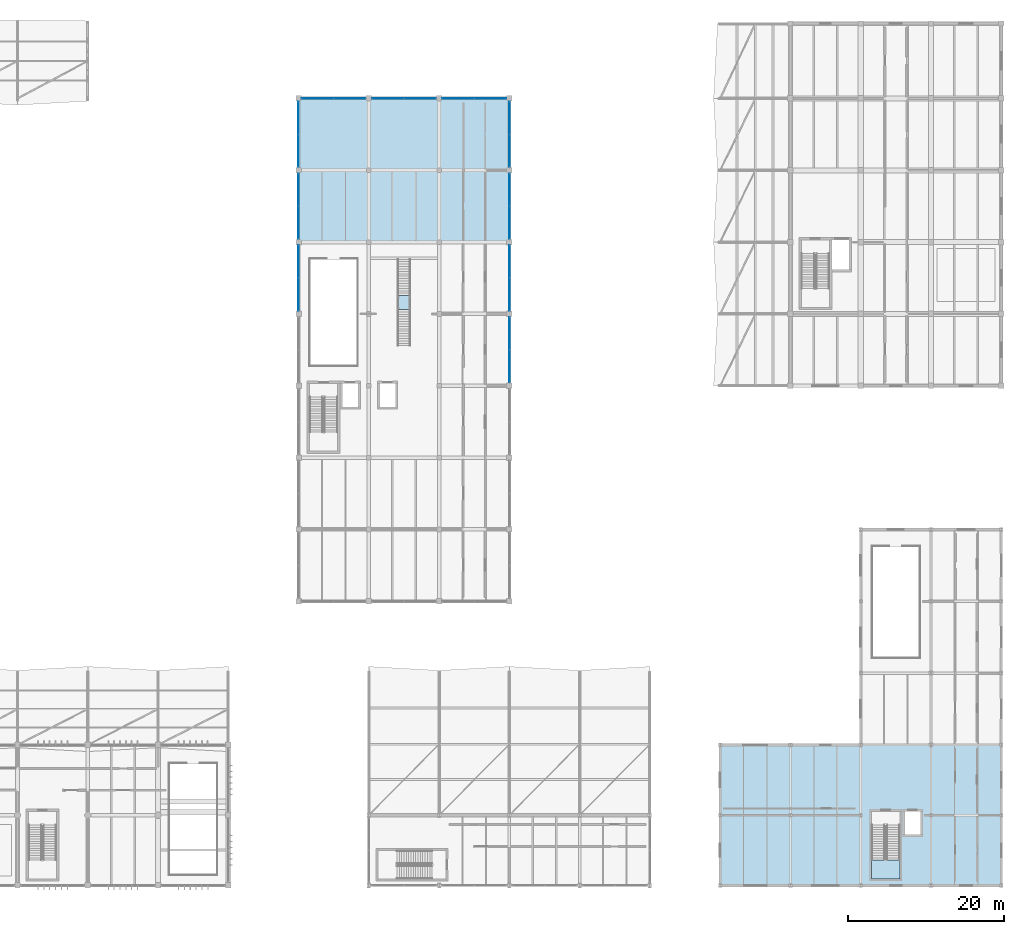
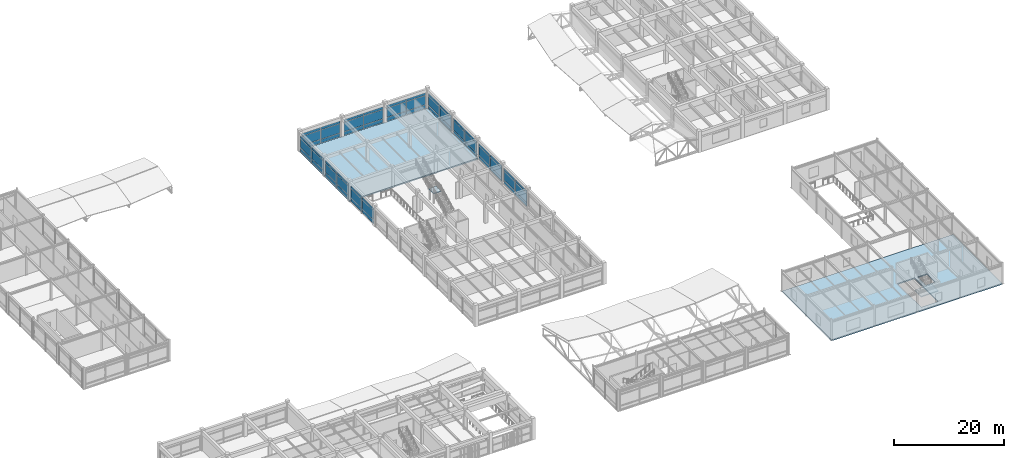
# One storey, part 57 of 90: 60 plates, 4 slabs, 12 elements without a shape of their own.
"""IFC4 building model written with IfcOpenShell, lengths in metres."""

from ifc_helpers import new_model, si_unit, direction, frame, origin, origin_2d, place, context, subcontext, project, spatial, polyline, rectangle, outline, extrude, material, layer, layer_set, type_object, element, aggregate, save


model = new_model("IFC4")

# Units and contexts
model_context = context("Model", 3, precision=1e-05, world=origin(), true_north=direction((0.0, 1.0)))
body_context = subcontext(model_context, "Body", "Model", "MODEL_VIEW")
ifc_project = project(units=[si_unit("LENGTHUNIT", "METRE"), si_unit("AREAUNIT", "SQUARE_METRE"), si_unit("VOLUMEUNIT", "CUBIC_METRE"), si_unit("PLANEANGLEUNIT", "RADIAN"), si_unit("MASSUNIT", "GRAM", prefix="KILO")], contexts=[model_context])

# Site, building, storey
site_placement = place(None, origin())
site = spatial("IfcSite", under=ifc_project, at=site_placement, CompositionType="ELEMENT")
building_placement = place(site_placement, origin())
building = spatial("IfcBuilding", under=site, at=building_placement, Name="Bozkorgan Art Gallery", CompositionType="ELEMENT")
storey_placement = place(building_placement, frame((0.0, 0.0, 5.39990234375)))
storey = spatial("IfcBuildingStorey", under=building, at=storey_placement, Name="L01", CompositionType="ELEMENT", Elevation=5.39990234375)

# Curtain wall, plates
ifc_material_1 = material(Name="Anodised Bronze Aluminium", Category="aluminium")
curtain_wall_type_1 = type_object("IfcCurtainWallType", Name="CW-CW-19", PredefinedType="NOTDEFINED", material=ifc_material_1)
curtain_wall_1_placement = place(storey_placement, origin())
curtain_wall_1 = element("IfcCurtainWall", 1, at=curtain_wall_1_placement, inside=storey, type_object=curtain_wall_type_1, Name="L01 unitised curtain wall CW-V4-L01-1N-02", PredefinedType="NOTDEFINED")
ifc_material_2 = material(Name="Triple Low-E Laminated Glass", Category="glass")
ifc_layer_1 = layer(ifc_material_2, 0.0439453125, Name="Triple Low-E Laminated Glass")
ifc_layer_set_1 = layer_set([ifc_layer_1], Name="Triple Low-E Laminated Glass")
plate_type = type_object("IfcPlateType", Name="CWP-GLZ", PredefinedType="CURTAIN_PANEL", material=ifc_layer_set_1)
plate_1_placement = place(storey_placement, frame((76.44873046875, 102.800048828125, 0.094970703125), z_axis=(0.0, 0.0, 1.0), x_axis=(1.0, 0.0, 0.0)))
plate_1 = element("IfcPlate", 2, at=plate_1_placement, type_object=plate_type, Name="CW-19 panel 1.1", PredefinedType="CURTAIN_PANEL", context=body_context, shape_type="SweptSolid", body=[
    extrude(rectangle(XDim=4.03759765625, YDim=0.0439453125, at=origin_2d()), origin(), (0.0, 0.0, 1.0), 0.78759765625),
])
plate_2_placement = place(storey_placement, frame((76.44873046875, 102.800048828125, 0.95751953125), z_axis=(0.0, 0.0, 1.0), x_axis=(1.0, 0.0, 0.0)))
plate_2 = element("IfcPlate", 3, at=plate_2_placement, type_object=plate_type, Name="CW-19 panel 1.2", PredefinedType="CURTAIN_PANEL", context=body_context, shape_type="SweptSolid", body=[
    extrude(rectangle(XDim=4.03759765625, YDim=0.0439453125, at=origin_2d()), origin(), (0.0, 0.0, 1.0), 2.030029296875),
])
plate_3_placement = place(storey_placement, frame((76.44873046875, 102.800048828125, 3.0625), z_axis=(0.0, 0.0, 1.0), x_axis=(1.0, 0.0, 0.0)))
plate_3 = element("IfcPlate", 4, at=plate_3_placement, type_object=plate_type, Name="CW-19 panel 1.3", PredefinedType="CURTAIN_PANEL", context=body_context, shape_type="SweptSolid", body=[
    extrude(rectangle(XDim=4.03759765625, YDim=0.0439453125, at=origin_2d()), origin(), (0.0, 0.0, 1.0), 0.53759765625),
])
plate_4_placement = place(storey_placement, frame((80.55126953125, 102.800048828125, 0.094970703125), z_axis=(0.0, 0.0, 1.0), x_axis=(1.0, 0.0, 0.0)))
plate_4 = element("IfcPlate", 5, at=plate_4_placement, type_object=plate_type, Name="CW-19 panel 2.1", PredefinedType="CURTAIN_PANEL", context=body_context, shape_type="SweptSolid", body=[
    extrude(rectangle(XDim=4.03759765625, YDim=0.0439453125, at=origin_2d()), origin(), (0.0, 0.0, 1.0), 0.78759765625),
])
plate_5_placement = place(storey_placement, frame((80.55126953125, 102.800048828125, 0.95751953125), z_axis=(0.0, 0.0, 1.0), x_axis=(1.0, 0.0, 0.0)))
plate_5 = element("IfcPlate", 6, at=plate_5_placement, type_object=plate_type, Name="CW-19 panel 2.2", PredefinedType="CURTAIN_PANEL", context=body_context, shape_type="SweptSolid", body=[
    extrude(rectangle(XDim=4.03759765625, YDim=0.0439453125, at=origin_2d()), origin(), (0.0, 0.0, 1.0), 2.030029296875),
])
plate_6_placement = place(storey_placement, frame((80.55126953125, 102.800048828125, 3.0625), z_axis=(0.0, 0.0, 1.0), x_axis=(1.0, 0.0, 0.0)))
plate_6 = element("IfcPlate", 7, at=plate_6_placement, type_object=plate_type, Name="CW-19 panel 2.3", PredefinedType="CURTAIN_PANEL", context=body_context, shape_type="SweptSolid", body=[
    extrude(rectangle(XDim=4.03759765625, YDim=0.0439453125, at=origin_2d()), origin(), (0.0, 0.0, 1.0), 0.53759765625),
])
aggregate(curtain_wall_1, [plate_1, plate_2, plate_3, plate_4, plate_5, plate_6])

curtain_wall_2_placement = place(storey_placement, origin())
curtain_wall_2 = element("IfcCurtainWall", 8, at=curtain_wall_2_placement, inside=storey, type_object=curtain_wall_type_1, Name="L01 unitised curtain wall CW-V4-L01-1N-04", PredefinedType="NOTDEFINED")
plate_7_placement = place(storey_placement, frame((85.44873046875, 102.800048828125, 0.094970703125), z_axis=(0.0, 0.0, 1.0), x_axis=(1.0, 0.0, 0.0)))
plate_7 = element("IfcPlate", 9, at=plate_7_placement, type_object=plate_type, Name="CW-19 panel 1.1", PredefinedType="CURTAIN_PANEL", context=body_context, shape_type="SweptSolid", body=[
    extrude(rectangle(XDim=4.03759765625, YDim=0.0439453125, at=origin_2d()), origin(), (0.0, 0.0, 1.0), 0.78759765625),
])
plate_8_placement = place(storey_placement, frame((85.44873046875, 102.800048828125, 0.95751953125), z_axis=(0.0, 0.0, 1.0), x_axis=(1.0, 0.0, 0.0)))
plate_8 = element("IfcPlate", 10, at=plate_8_placement, type_object=plate_type, Name="CW-19 panel 1.2", PredefinedType="CURTAIN_PANEL", context=body_context, shape_type="SweptSolid", body=[
    extrude(rectangle(XDim=4.03759765625, YDim=0.0439453125, at=origin_2d()), origin(), (0.0, 0.0, 1.0), 2.030029296875),
])
plate_9_placement = place(storey_placement, frame((85.44873046875, 102.800048828125, 3.0625), z_axis=(0.0, 0.0, 1.0), x_axis=(1.0, 0.0, 0.0)))
plate_9 = element("IfcPlate", 11, at=plate_9_placement, type_object=plate_type, Name="CW-19 panel 1.3", PredefinedType="CURTAIN_PANEL", context=body_context, shape_type="SweptSolid", body=[
    extrude(rectangle(XDim=4.03759765625, YDim=0.0439453125, at=origin_2d()), origin(), (0.0, 0.0, 1.0), 0.53759765625),
])
plate_10_placement = place(storey_placement, frame((89.55126953125, 102.800048828125, 0.094970703125), z_axis=(0.0, 0.0, 1.0), x_axis=(1.0, 0.0, 0.0)))
plate_10 = element("IfcPlate", 12, at=plate_10_placement, type_object=plate_type, Name="CW-19 panel 2.1", PredefinedType="CURTAIN_PANEL", context=body_context, shape_type="SweptSolid", body=[
    extrude(rectangle(XDim=4.03759765625, YDim=0.0439453125, at=origin_2d()), origin(), (0.0, 0.0, 1.0), 0.78759765625),
])
plate_11_placement = place(storey_placement, frame((89.55126953125, 102.800048828125, 0.95751953125), z_axis=(0.0, 0.0, 1.0), x_axis=(1.0, 0.0, 0.0)))
plate_11 = element("IfcPlate", 13, at=plate_11_placement, type_object=plate_type, Name="CW-19 panel 2.2", PredefinedType="CURTAIN_PANEL", context=body_context, shape_type="SweptSolid", body=[
    extrude(rectangle(XDim=4.03759765625, YDim=0.0439453125, at=origin_2d()), origin(), (0.0, 0.0, 1.0), 2.030029296875),
])
plate_12_placement = place(storey_placement, frame((89.55126953125, 102.800048828125, 3.0625), z_axis=(0.0, 0.0, 1.0), x_axis=(1.0, 0.0, 0.0)))
plate_12 = element("IfcPlate", 14, at=plate_12_placement, type_object=plate_type, Name="CW-19 panel 2.3", PredefinedType="CURTAIN_PANEL", context=body_context, shape_type="SweptSolid", body=[
    extrude(rectangle(XDim=4.03759765625, YDim=0.0439453125, at=origin_2d()), origin(), (0.0, 0.0, 1.0), 0.53759765625),
])
aggregate(curtain_wall_2, [plate_7, plate_8, plate_9, plate_10, plate_11, plate_12])

curtain_wall_3_placement = place(storey_placement, origin())
curtain_wall_3 = element("IfcCurtainWall", 15, at=curtain_wall_3_placement, inside=storey, type_object=curtain_wall_type_1, Name="L01 unitised curtain wall CW-V4-L01-1N-06", PredefinedType="NOTDEFINED")
plate_13_placement = place(storey_placement, frame((94.44873046875, 102.800048828125, 0.094970703125), z_axis=(0.0, 0.0, 1.0), x_axis=(1.0, 0.0, 0.0)))
plate_13 = element("IfcPlate", 16, at=plate_13_placement, type_object=plate_type, Name="CW-19 panel 1.1", PredefinedType="CURTAIN_PANEL", context=body_context, shape_type="SweptSolid", body=[
    extrude(rectangle(XDim=4.03759765625, YDim=0.0439453125, at=origin_2d()), origin(), (0.0, 0.0, 1.0), 0.78759765625),
])
plate_14_placement = place(storey_placement, frame((94.44873046875, 102.800048828125, 0.95751953125), z_axis=(0.0, 0.0, 1.0), x_axis=(1.0, 0.0, 0.0)))
plate_14 = element("IfcPlate", 17, at=plate_14_placement, type_object=plate_type, Name="CW-19 panel 1.2", PredefinedType="CURTAIN_PANEL", context=body_context, shape_type="SweptSolid", body=[
    extrude(rectangle(XDim=4.03759765625, YDim=0.0439453125, at=origin_2d()), origin(), (0.0, 0.0, 1.0), 2.030029296875),
])
plate_15_placement = place(storey_placement, frame((94.44873046875, 102.800048828125, 3.0625), z_axis=(0.0, 0.0, 1.0), x_axis=(1.0, 0.0, 0.0)))
plate_15 = element("IfcPlate", 18, at=plate_15_placement, type_object=plate_type, Name="CW-19 panel 1.3", PredefinedType="CURTAIN_PANEL", context=body_context, shape_type="SweptSolid", body=[
    extrude(rectangle(XDim=4.03759765625, YDim=0.0439453125, at=origin_2d()), origin(), (0.0, 0.0, 1.0), 0.53759765625),
])
plate_16_placement = place(storey_placement, frame((98.55126953125, 102.800048828125, 0.094970703125), z_axis=(0.0, 0.0, 1.0), x_axis=(1.0, 0.0, 0.0)))
plate_16 = element("IfcPlate", 19, at=plate_16_placement, type_object=plate_type, Name="CW-19 panel 2.1", PredefinedType="CURTAIN_PANEL", context=body_context, shape_type="SweptSolid", body=[
    extrude(rectangle(XDim=4.03759765625, YDim=0.0439453125, at=origin_2d()), origin(), (0.0, 0.0, 1.0), 0.78759765625),
])
plate_17_placement = place(storey_placement, frame((98.55126953125, 102.800048828125, 0.95751953125), z_axis=(0.0, 0.0, 1.0), x_axis=(1.0, 0.0, 0.0)))
plate_17 = element("IfcPlate", 20, at=plate_17_placement, type_object=plate_type, Name="CW-19 panel 2.2", PredefinedType="CURTAIN_PANEL", context=body_context, shape_type="SweptSolid", body=[
    extrude(rectangle(XDim=4.03759765625, YDim=0.0439453125, at=origin_2d()), origin(), (0.0, 0.0, 1.0), 2.030029296875),
])
plate_18_placement = place(storey_placement, frame((98.55126953125, 102.800048828125, 3.0625), z_axis=(0.0, 0.0, 1.0), x_axis=(1.0, 0.0, 0.0)))
plate_18 = element("IfcPlate", 21, at=plate_18_placement, type_object=plate_type, Name="CW-19 panel 2.3", PredefinedType="CURTAIN_PANEL", context=body_context, shape_type="SweptSolid", body=[
    extrude(rectangle(XDim=4.03759765625, YDim=0.0439453125, at=origin_2d()), origin(), (0.0, 0.0, 1.0), 0.53759765625),
])
aggregate(curtain_wall_3, [plate_13, plate_14, plate_15, plate_16, plate_17, plate_18])

curtain_wall_type_2 = type_object("IfcCurtainWallType", Name="CW-CW-16", PredefinedType="NOTDEFINED", material=ifc_material_1)
curtain_wall_4_placement = place(storey_placement, origin())
curtain_wall_4 = element("IfcCurtainWall", 22, at=curtain_wall_4_placement, inside=storey, type_object=curtain_wall_type_2, Name="L01 unitised curtain wall CW-V4-L01-1E-14", PredefinedType="NOTDEFINED")
plate_19_placement = place(storey_placement, frame((101.0, 68.498779296875, 0.10009765625), z_axis=(0.0, 0.0, 1.0), x_axis=(0.0, 1.0, 0.0)))
plate_19 = element("IfcPlate", 23, at=plate_19_placement, type_object=plate_type, Name="CW-16 panel 1.1", PredefinedType="CURTAIN_PANEL", context=body_context, shape_type="SweptSolid", body=[
    extrude(rectangle(XDim=4.137451171875, YDim=0.0439453125, at=origin_2d()), origin(), (0.0, 0.0, 1.0), 0.780029296875),
])
plate_20_placement = place(storey_placement, frame((101.0, 68.498779296875, 0.960205078125), z_axis=(0.0, 0.0, 1.0), x_axis=(0.0, 1.0, 0.0)))
plate_20 = element("IfcPlate", 24, at=plate_20_placement, type_object=plate_type, Name="CW-16 panel 1.2", PredefinedType="CURTAIN_PANEL", context=body_context, shape_type="SweptSolid", body=[
    extrude(rectangle(XDim=4.137451171875, YDim=0.0439453125, at=origin_2d()), origin(), (0.0, 0.0, 1.0), 2.02490234375),
])
plate_21_placement = place(storey_placement, frame((101.0, 68.498779296875, 3.06494140625), z_axis=(0.0, 0.0, 1.0), x_axis=(0.0, 1.0, 0.0)))
plate_21 = element("IfcPlate", 25, at=plate_21_placement, type_object=plate_type, Name="CW-16 panel 1.3", PredefinedType="CURTAIN_PANEL", context=body_context, shape_type="SweptSolid", body=[
    extrude(rectangle(XDim=4.137451171875, YDim=0.0439453125, at=origin_2d()), origin(), (0.0, 0.0, 1.0), 0.530029296875),
])
plate_22_placement = place(storey_placement, frame((101.0, 72.701171875, 0.10009765625), z_axis=(0.0, 0.0, 1.0), x_axis=(0.0, 1.0, 0.0)))
plate_22 = element("IfcPlate", 26, at=plate_22_placement, type_object=plate_type, Name="CW-16 panel 2.1", PredefinedType="CURTAIN_PANEL", context=body_context, shape_type="SweptSolid", body=[
    extrude(rectangle(XDim=4.137451171875, YDim=0.0439453125, at=origin_2d()), origin(), (0.0, 0.0, 1.0), 0.780029296875),
])
plate_23_placement = place(storey_placement, frame((101.0, 72.701171875, 0.960205078125), z_axis=(0.0, 0.0, 1.0), x_axis=(0.0, 1.0, 0.0)))
plate_23 = element("IfcPlate", 27, at=plate_23_placement, type_object=plate_type, Name="CW-16 panel 2.2", PredefinedType="CURTAIN_PANEL", context=body_context, shape_type="SweptSolid", body=[
    extrude(rectangle(XDim=4.137451171875, YDim=0.0439453125, at=origin_2d()), origin(), (0.0, 0.0, 1.0), 2.02490234375),
])
plate_24_placement = place(storey_placement, frame((101.0, 72.701171875, 3.06494140625), z_axis=(0.0, 0.0, 1.0), x_axis=(0.0, 1.0, 0.0)))
plate_24 = element("IfcPlate", 28, at=plate_24_placement, type_object=plate_type, Name="CW-16 panel 2.3", PredefinedType="CURTAIN_PANEL", context=body_context, shape_type="SweptSolid", body=[
    extrude(rectangle(XDim=4.137451171875, YDim=0.0439453125, at=origin_2d()), origin(), (0.0, 0.0, 1.0), 0.530029296875),
])
aggregate(curtain_wall_4, [plate_19, plate_20, plate_21, plate_22, plate_23, plate_24])

curtain_wall_5_placement = place(storey_placement, origin())
curtain_wall_5 = element("IfcCurtainWall", 29, at=curtain_wall_5_placement, inside=storey, type_object=curtain_wall_type_2, Name="L01 unitised curtain wall CW-V4-L01-1W-15", PredefinedType="NOTDEFINED")
plate_25_placement = place(storey_placement, frame((74.0, 77.69873046875, 0.10009765625), z_axis=(0.0, 0.0, 1.0), x_axis=(0.0, 1.0, 0.0)))
plate_25 = element("IfcPlate", 30, at=plate_25_placement, type_object=plate_type, Name="CW-16 panel 1.1", PredefinedType="CURTAIN_PANEL", context=body_context, shape_type="SweptSolid", body=[
    extrude(rectangle(XDim=4.137451171875, YDim=0.0439453125, at=origin_2d()), origin(), (0.0, 0.0, 1.0), 0.780029296875),
])
plate_26_placement = place(storey_placement, frame((74.0, 77.69873046875, 0.960205078125), z_axis=(0.0, 0.0, 1.0), x_axis=(0.0, 1.0, 0.0)))
plate_26 = element("IfcPlate", 31, at=plate_26_placement, type_object=plate_type, Name="CW-16 panel 1.2", PredefinedType="CURTAIN_PANEL", context=body_context, shape_type="SweptSolid", body=[
    extrude(rectangle(XDim=4.137451171875, YDim=0.0439453125, at=origin_2d()), origin(), (0.0, 0.0, 1.0), 2.02490234375),
])
plate_27_placement = place(storey_placement, frame((74.0, 77.69873046875, 3.06494140625), z_axis=(0.0, 0.0, 1.0), x_axis=(0.0, 1.0, 0.0)))
plate_27 = element("IfcPlate", 32, at=plate_27_placement, type_object=plate_type, Name="CW-16 panel 1.3", PredefinedType="CURTAIN_PANEL", context=body_context, shape_type="SweptSolid", body=[
    extrude(rectangle(XDim=4.137451171875, YDim=0.0439453125, at=origin_2d()), origin(), (0.0, 0.0, 1.0), 0.530029296875),
])
plate_28_placement = place(storey_placement, frame((74.0, 81.9013671875, 0.10009765625), z_axis=(0.0, 0.0, 1.0), x_axis=(0.0, 1.0, 0.0)))
plate_28 = element("IfcPlate", 33, at=plate_28_placement, type_object=plate_type, Name="CW-16 panel 2.1", PredefinedType="CURTAIN_PANEL", context=body_context, shape_type="SweptSolid", body=[
    extrude(rectangle(XDim=4.137451171875, YDim=0.0439453125, at=origin_2d()), origin(), (0.0, 0.0, 1.0), 0.780029296875),
])
plate_29_placement = place(storey_placement, frame((74.0, 81.9013671875, 0.960205078125), z_axis=(0.0, 0.0, 1.0), x_axis=(0.0, 1.0, 0.0)))
plate_29 = element("IfcPlate", 34, at=plate_29_placement, type_object=plate_type, Name="CW-16 panel 2.2", PredefinedType="CURTAIN_PANEL", context=body_context, shape_type="SweptSolid", body=[
    extrude(rectangle(XDim=4.137451171875, YDim=0.0439453125, at=origin_2d()), origin(), (0.0, 0.0, 1.0), 2.02490234375),
])
plate_30_placement = place(storey_placement, frame((74.0, 81.9013671875, 3.06494140625), z_axis=(0.0, 0.0, 1.0), x_axis=(0.0, 1.0, 0.0)))
plate_30 = element("IfcPlate", 35, at=plate_30_placement, type_object=plate_type, Name="CW-16 panel 2.3", PredefinedType="CURTAIN_PANEL", context=body_context, shape_type="SweptSolid", body=[
    extrude(rectangle(XDim=4.137451171875, YDim=0.0439453125, at=origin_2d()), origin(), (0.0, 0.0, 1.0), 0.530029296875),
])
aggregate(curtain_wall_5, [plate_25, plate_26, plate_27, plate_28, plate_29, plate_30])

curtain_wall_6_placement = place(storey_placement, origin())
curtain_wall_6 = element("IfcCurtainWall", 36, at=curtain_wall_6_placement, inside=storey, type_object=curtain_wall_type_2, Name="L01 unitised curtain wall CW-V4-L01-1E-16", PredefinedType="NOTDEFINED")
plate_31_placement = place(storey_placement, frame((101.0, 77.69873046875, 0.10009765625), z_axis=(0.0, 0.0, 1.0), x_axis=(0.0, 1.0, 0.0)))
plate_31 = element("IfcPlate", 37, at=plate_31_placement, type_object=plate_type, Name="CW-16 panel 1.1", PredefinedType="CURTAIN_PANEL", context=body_context, shape_type="SweptSolid", body=[
    extrude(rectangle(XDim=4.137451171875, YDim=0.0439453125, at=origin_2d()), origin(), (0.0, 0.0, 1.0), 0.780029296875),
])
plate_32_placement = place(storey_placement, frame((101.0, 77.69873046875, 0.960205078125), z_axis=(0.0, 0.0, 1.0), x_axis=(0.0, 1.0, 0.0)))
plate_32 = element("IfcPlate", 38, at=plate_32_placement, type_object=plate_type, Name="CW-16 panel 1.2", PredefinedType="CURTAIN_PANEL", context=body_context, shape_type="SweptSolid", body=[
    extrude(rectangle(XDim=4.137451171875, YDim=0.0439453125, at=origin_2d()), origin(), (0.0, 0.0, 1.0), 2.02490234375),
])
plate_33_placement = place(storey_placement, frame((101.0, 77.69873046875, 3.06494140625), z_axis=(0.0, 0.0, 1.0), x_axis=(0.0, 1.0, 0.0)))
plate_33 = element("IfcPlate", 39, at=plate_33_placement, type_object=plate_type, Name="CW-16 panel 1.3", PredefinedType="CURTAIN_PANEL", context=body_context, shape_type="SweptSolid", body=[
    extrude(rectangle(XDim=4.137451171875, YDim=0.0439453125, at=origin_2d()), origin(), (0.0, 0.0, 1.0), 0.530029296875),
])
plate_34_placement = place(storey_placement, frame((101.0, 81.9013671875, 0.10009765625), z_axis=(0.0, 0.0, 1.0), x_axis=(0.0, 1.0, 0.0)))
plate_34 = element("IfcPlate", 40, at=plate_34_placement, type_object=plate_type, Name="CW-16 panel 2.1", PredefinedType="CURTAIN_PANEL", context=body_context, shape_type="SweptSolid", body=[
    extrude(rectangle(XDim=4.137451171875, YDim=0.0439453125, at=origin_2d()), origin(), (0.0, 0.0, 1.0), 0.780029296875),
])
plate_35_placement = place(storey_placement, frame((101.0, 81.9013671875, 0.960205078125), z_axis=(0.0, 0.0, 1.0), x_axis=(0.0, 1.0, 0.0)))
plate_35 = element("IfcPlate", 41, at=plate_35_placement, type_object=plate_type, Name="CW-16 panel 2.2", PredefinedType="CURTAIN_PANEL", context=body_context, shape_type="SweptSolid", body=[
    extrude(rectangle(XDim=4.137451171875, YDim=0.0439453125, at=origin_2d()), origin(), (0.0, 0.0, 1.0), 2.02490234375),
])
plate_36_placement = place(storey_placement, frame((101.0, 81.9013671875, 3.06494140625), z_axis=(0.0, 0.0, 1.0), x_axis=(0.0, 1.0, 0.0)))
plate_36 = element("IfcPlate", 42, at=plate_36_placement, type_object=plate_type, Name="CW-16 panel 2.3", PredefinedType="CURTAIN_PANEL", context=body_context, shape_type="SweptSolid", body=[
    extrude(rectangle(XDim=4.137451171875, YDim=0.0439453125, at=origin_2d()), origin(), (0.0, 0.0, 1.0), 0.530029296875),
])
aggregate(curtain_wall_6, [plate_31, plate_32, plate_33, plate_34, plate_35, plate_36])

curtain_wall_7_placement = place(storey_placement, origin())
curtain_wall_7 = element("IfcCurtainWall", 43, at=curtain_wall_7_placement, inside=storey, type_object=curtain_wall_type_2, Name="L01 unitised curtain wall CW-V4-L01-1W-17", PredefinedType="NOTDEFINED")
plate_37_placement = place(storey_placement, frame((74.0, 86.898681640625, 0.10009765625), z_axis=(0.0, 0.0, 1.0), x_axis=(0.0, 1.0, 0.0)))
plate_37 = element("IfcPlate", 44, at=plate_37_placement, type_object=plate_type, Name="CW-16 panel 1.1", PredefinedType="CURTAIN_PANEL", context=body_context, shape_type="SweptSolid", body=[
    extrude(rectangle(XDim=4.137451171875, YDim=0.0439453125, at=origin_2d()), origin(), (0.0, 0.0, 1.0), 0.780029296875),
])
plate_38_placement = place(storey_placement, frame((74.0, 86.898681640625, 0.960205078125), z_axis=(0.0, 0.0, 1.0), x_axis=(0.0, 1.0, 0.0)))
plate_38 = element("IfcPlate", 45, at=plate_38_placement, type_object=plate_type, Name="CW-16 panel 1.2", PredefinedType="CURTAIN_PANEL", context=body_context, shape_type="SweptSolid", body=[
    extrude(rectangle(XDim=4.137451171875, YDim=0.0439453125, at=origin_2d()), origin(), (0.0, 0.0, 1.0), 2.02490234375),
])
plate_39_placement = place(storey_placement, frame((74.0, 86.898681640625, 3.06494140625), z_axis=(0.0, 0.0, 1.0), x_axis=(0.0, 1.0, 0.0)))
plate_39 = element("IfcPlate", 46, at=plate_39_placement, type_object=plate_type, Name="CW-16 panel 1.3", PredefinedType="CURTAIN_PANEL", context=body_context, shape_type="SweptSolid", body=[
    extrude(rectangle(XDim=4.137451171875, YDim=0.0439453125, at=origin_2d()), origin(), (0.0, 0.0, 1.0), 0.530029296875),
])
plate_40_placement = place(storey_placement, frame((74.0, 91.101318359375, 0.10009765625), z_axis=(0.0, 0.0, 1.0), x_axis=(0.0, 1.0, 0.0)))
plate_40 = element("IfcPlate", 47, at=plate_40_placement, type_object=plate_type, Name="CW-16 panel 2.1", PredefinedType="CURTAIN_PANEL", context=body_context, shape_type="SweptSolid", body=[
    extrude(rectangle(XDim=4.137451171875, YDim=0.0439453125, at=origin_2d()), origin(), (0.0, 0.0, 1.0), 0.780029296875),
])
plate_41_placement = place(storey_placement, frame((74.0, 91.101318359375, 0.960205078125), z_axis=(0.0, 0.0, 1.0), x_axis=(0.0, 1.0, 0.0)))
plate_41 = element("IfcPlate", 48, at=plate_41_placement, type_object=plate_type, Name="CW-16 panel 2.2", PredefinedType="CURTAIN_PANEL", context=body_context, shape_type="SweptSolid", body=[
    extrude(rectangle(XDim=4.137451171875, YDim=0.0439453125, at=origin_2d()), origin(), (0.0, 0.0, 1.0), 2.02490234375),
])
plate_42_placement = place(storey_placement, frame((74.0, 91.101318359375, 3.06494140625), z_axis=(0.0, 0.0, 1.0), x_axis=(0.0, 1.0, 0.0)))
plate_42 = element("IfcPlate", 49, at=plate_42_placement, type_object=plate_type, Name="CW-16 panel 2.3", PredefinedType="CURTAIN_PANEL", context=body_context, shape_type="SweptSolid", body=[
    extrude(rectangle(XDim=4.137451171875, YDim=0.0439453125, at=origin_2d()), origin(), (0.0, 0.0, 1.0), 0.530029296875),
])
aggregate(curtain_wall_7, [plate_37, plate_38, plate_39, plate_40, plate_41, plate_42])

curtain_wall_8_placement = place(storey_placement, origin())
curtain_wall_8 = element("IfcCurtainWall", 50, at=curtain_wall_8_placement, inside=storey, type_object=curtain_wall_type_2, Name="L01 unitised curtain wall CW-V4-L01-1E-18", PredefinedType="NOTDEFINED")
plate_43_placement = place(storey_placement, frame((101.0, 86.898681640625, 0.10009765625), z_axis=(0.0, 0.0, 1.0), x_axis=(0.0, 1.0, 0.0)))
plate_43 = element("IfcPlate", 51, at=plate_43_placement, type_object=plate_type, Name="CW-16 panel 1.1", PredefinedType="CURTAIN_PANEL", context=body_context, shape_type="SweptSolid", body=[
    extrude(rectangle(XDim=4.137451171875, YDim=0.0439453125, at=origin_2d()), origin(), (0.0, 0.0, 1.0), 0.780029296875),
])
plate_44_placement = place(storey_placement, frame((101.0, 86.898681640625, 0.960205078125), z_axis=(0.0, 0.0, 1.0), x_axis=(0.0, 1.0, 0.0)))
plate_44 = element("IfcPlate", 52, at=plate_44_placement, type_object=plate_type, Name="CW-16 panel 1.2", PredefinedType="CURTAIN_PANEL", context=body_context, shape_type="SweptSolid", body=[
    extrude(rectangle(XDim=4.137451171875, YDim=0.0439453125, at=origin_2d()), origin(), (0.0, 0.0, 1.0), 2.02490234375),
])
plate_45_placement = place(storey_placement, frame((101.0, 86.898681640625, 3.06494140625), z_axis=(0.0, 0.0, 1.0), x_axis=(0.0, 1.0, 0.0)))
plate_45 = element("IfcPlate", 53, at=plate_45_placement, type_object=plate_type, Name="CW-16 panel 1.3", PredefinedType="CURTAIN_PANEL", context=body_context, shape_type="SweptSolid", body=[
    extrude(rectangle(XDim=4.137451171875, YDim=0.0439453125, at=origin_2d()), origin(), (0.0, 0.0, 1.0), 0.530029296875),
])
plate_46_placement = place(storey_placement, frame((101.0, 91.101318359375, 0.10009765625), z_axis=(0.0, 0.0, 1.0), x_axis=(0.0, 1.0, 0.0)))
plate_46 = element("IfcPlate", 54, at=plate_46_placement, type_object=plate_type, Name="CW-16 panel 2.1", PredefinedType="CURTAIN_PANEL", context=body_context, shape_type="SweptSolid", body=[
    extrude(rectangle(XDim=4.137451171875, YDim=0.0439453125, at=origin_2d()), origin(), (0.0, 0.0, 1.0), 0.780029296875),
])
plate_47_placement = place(storey_placement, frame((101.0, 91.101318359375, 0.960205078125), z_axis=(0.0, 0.0, 1.0), x_axis=(0.0, 1.0, 0.0)))
plate_47 = element("IfcPlate", 55, at=plate_47_placement, type_object=plate_type, Name="CW-16 panel 2.2", PredefinedType="CURTAIN_PANEL", context=body_context, shape_type="SweptSolid", body=[
    extrude(rectangle(XDim=4.137451171875, YDim=0.0439453125, at=origin_2d()), origin(), (0.0, 0.0, 1.0), 2.02490234375),
])
plate_48_placement = place(storey_placement, frame((101.0, 91.101318359375, 3.06494140625), z_axis=(0.0, 0.0, 1.0), x_axis=(0.0, 1.0, 0.0)))
plate_48 = element("IfcPlate", 56, at=plate_48_placement, type_object=plate_type, Name="CW-16 panel 2.3", PredefinedType="CURTAIN_PANEL", context=body_context, shape_type="SweptSolid", body=[
    extrude(rectangle(XDim=4.137451171875, YDim=0.0439453125, at=origin_2d()), origin(), (0.0, 0.0, 1.0), 0.530029296875),
])
aggregate(curtain_wall_8, [plate_43, plate_44, plate_45, plate_46, plate_47, plate_48])

curtain_wall_9_placement = place(storey_placement, origin())
curtain_wall_9 = element("IfcCurtainWall", 57, at=curtain_wall_9_placement, inside=storey, type_object=curtain_wall_type_2, Name="L01 unitised curtain wall CW-V4-L01-1W-19", PredefinedType="NOTDEFINED")
plate_49_placement = place(storey_placement, frame((74.0, 96.0986328125, 0.10009765625), z_axis=(0.0, 0.0, 1.0), x_axis=(0.0, 1.0, 0.0)))
plate_49 = element("IfcPlate", 58, at=plate_49_placement, type_object=plate_type, Name="CW-16 panel 1.1", PredefinedType="CURTAIN_PANEL", context=body_context, shape_type="SweptSolid", body=[
    extrude(rectangle(XDim=4.137451171875, YDim=0.0439453125, at=origin_2d()), origin(), (0.0, 0.0, 1.0), 0.780029296875),
])
plate_50_placement = place(storey_placement, frame((74.0, 96.0986328125, 0.960205078125), z_axis=(0.0, 0.0, 1.0), x_axis=(0.0, 1.0, 0.0)))
plate_50 = element("IfcPlate", 59, at=plate_50_placement, type_object=plate_type, Name="CW-16 panel 1.2", PredefinedType="CURTAIN_PANEL", context=body_context, shape_type="SweptSolid", body=[
    extrude(rectangle(XDim=4.137451171875, YDim=0.0439453125, at=origin_2d()), origin(), (0.0, 0.0, 1.0), 2.02490234375),
])
plate_51_placement = place(storey_placement, frame((74.0, 96.0986328125, 3.06494140625), z_axis=(0.0, 0.0, 1.0), x_axis=(0.0, 1.0, 0.0)))
plate_51 = element("IfcPlate", 60, at=plate_51_placement, type_object=plate_type, Name="CW-16 panel 1.3", PredefinedType="CURTAIN_PANEL", context=body_context, shape_type="SweptSolid", body=[
    extrude(rectangle(XDim=4.137451171875, YDim=0.0439453125, at=origin_2d()), origin(), (0.0, 0.0, 1.0), 0.530029296875),
])
plate_52_placement = place(storey_placement, frame((74.0, 100.30126953125, 0.10009765625), z_axis=(0.0, 0.0, 1.0), x_axis=(0.0, 1.0, 0.0)))
plate_52 = element("IfcPlate", 61, at=plate_52_placement, type_object=plate_type, Name="CW-16 panel 2.1", PredefinedType="CURTAIN_PANEL", context=body_context, shape_type="SweptSolid", body=[
    extrude(rectangle(XDim=4.137451171875, YDim=0.0439453125, at=origin_2d()), origin(), (0.0, 0.0, 1.0), 0.780029296875),
])
plate_53_placement = place(storey_placement, frame((74.0, 100.30126953125, 0.960205078125), z_axis=(0.0, 0.0, 1.0), x_axis=(0.0, 1.0, 0.0)))
plate_53 = element("IfcPlate", 62, at=plate_53_placement, type_object=plate_type, Name="CW-16 panel 2.2", PredefinedType="CURTAIN_PANEL", context=body_context, shape_type="SweptSolid", body=[
    extrude(rectangle(XDim=4.137451171875, YDim=0.0439453125, at=origin_2d()), origin(), (0.0, 0.0, 1.0), 2.02490234375),
])
plate_54_placement = place(storey_placement, frame((74.0, 100.30126953125, 3.06494140625), z_axis=(0.0, 0.0, 1.0), x_axis=(0.0, 1.0, 0.0)))
plate_54 = element("IfcPlate", 63, at=plate_54_placement, type_object=plate_type, Name="CW-16 panel 2.3", PredefinedType="CURTAIN_PANEL", context=body_context, shape_type="SweptSolid", body=[
    extrude(rectangle(XDim=4.137451171875, YDim=0.0439453125, at=origin_2d()), origin(), (0.0, 0.0, 1.0), 0.530029296875),
])
aggregate(curtain_wall_9, [plate_49, plate_50, plate_51, plate_52, plate_53, plate_54])

curtain_wall_10_placement = place(storey_placement, origin())
curtain_wall_10 = element("IfcCurtainWall", 64, at=curtain_wall_10_placement, inside=storey, type_object=curtain_wall_type_2, Name="L01 unitised curtain wall CW-V4-L01-1E-20", PredefinedType="NOTDEFINED")
plate_55_placement = place(storey_placement, frame((101.0, 96.0986328125, 0.10009765625), z_axis=(0.0, 0.0, 1.0), x_axis=(0.0, 1.0, 0.0)))
plate_55 = element("IfcPlate", 65, at=plate_55_placement, type_object=plate_type, Name="CW-16 panel 1.1", PredefinedType="CURTAIN_PANEL", context=body_context, shape_type="SweptSolid", body=[
    extrude(rectangle(XDim=4.137451171875, YDim=0.0439453125, at=origin_2d()), origin(), (0.0, 0.0, 1.0), 0.780029296875),
])
plate_56_placement = place(storey_placement, frame((101.0, 96.0986328125, 0.960205078125), z_axis=(0.0, 0.0, 1.0), x_axis=(0.0, 1.0, 0.0)))
plate_56 = element("IfcPlate", 66, at=plate_56_placement, type_object=plate_type, Name="CW-16 panel 1.2", PredefinedType="CURTAIN_PANEL", context=body_context, shape_type="SweptSolid", body=[
    extrude(rectangle(XDim=4.137451171875, YDim=0.0439453125, at=origin_2d()), origin(), (0.0, 0.0, 1.0), 2.02490234375),
])
plate_57_placement = place(storey_placement, frame((101.0, 96.0986328125, 3.06494140625), z_axis=(0.0, 0.0, 1.0), x_axis=(0.0, 1.0, 0.0)))
plate_57 = element("IfcPlate", 67, at=plate_57_placement, type_object=plate_type, Name="CW-16 panel 1.3", PredefinedType="CURTAIN_PANEL", context=body_context, shape_type="SweptSolid", body=[
    extrude(rectangle(XDim=4.137451171875, YDim=0.0439453125, at=origin_2d()), origin(), (0.0, 0.0, 1.0), 0.530029296875),
])
plate_58_placement = place(storey_placement, frame((101.0, 100.30126953125, 0.10009765625), z_axis=(0.0, 0.0, 1.0), x_axis=(0.0, 1.0, 0.0)))
plate_58 = element("IfcPlate", 68, at=plate_58_placement, type_object=plate_type, Name="CW-16 panel 2.1", PredefinedType="CURTAIN_PANEL", context=body_context, shape_type="SweptSolid", body=[
    extrude(rectangle(XDim=4.137451171875, YDim=0.0439453125, at=origin_2d()), origin(), (0.0, 0.0, 1.0), 0.780029296875),
])
plate_59_placement = place(storey_placement, frame((101.0, 100.30126953125, 0.960205078125), z_axis=(0.0, 0.0, 1.0), x_axis=(0.0, 1.0, 0.0)))
plate_59 = element("IfcPlate", 69, at=plate_59_placement, type_object=plate_type, Name="CW-16 panel 2.2", PredefinedType="CURTAIN_PANEL", context=body_context, shape_type="SweptSolid", body=[
    extrude(rectangle(XDim=4.137451171875, YDim=0.0439453125, at=origin_2d()), origin(), (0.0, 0.0, 1.0), 2.02490234375),
])
plate_60_placement = place(storey_placement, frame((101.0, 100.30126953125, 3.06494140625), z_axis=(0.0, 0.0, 1.0), x_axis=(0.0, 1.0, 0.0)))
plate_60 = element("IfcPlate", 70, at=plate_60_placement, type_object=plate_type, Name="CW-16 panel 2.3", PredefinedType="CURTAIN_PANEL", context=body_context, shape_type="SweptSolid", body=[
    extrude(rectangle(XDim=4.137451171875, YDim=0.0439453125, at=origin_2d()), origin(), (0.0, 0.0, 1.0), 0.530029296875),
])
aggregate(curtain_wall_10, [plate_55, plate_56, plate_57, plate_58, plate_59, plate_60])

# Stair, slab
ifc_material_3 = material(Name="Concrete C35/45", Category="concrete")
stair_type_1 = type_object("IfcStairType", Name="STAIR-CORE4", PredefinedType="HALF_TURN_STAIR", material=ifc_material_3)
stair_1_placement = place(storey_placement, origin())
stair_1 = element("IfcStair", 71, at=stair_1_placement, inside=storey, type_object=stair_type_1, Name="L01 ST4 Core Stair", PredefinedType="HALF_TURN_STAIR")
ifc_layer_2 = layer(ifc_material_3, 0.25, Name="Concrete C35/45")
ifc_layer_set_2 = layer_set([ifc_layer_2], Name="Concrete C35/45")
slab_type_1 = type_object("IfcSlabType", Name="LAND-CORE4", PredefinedType="LANDING", material=ifc_layer_set_2)
slab_1_placement = place(storey_placement, frame((0.0, 0.0, 2.2001953125)))
slab_1 = element("IfcSlab", 72, at=slab_1_placement, type_object=slab_type_1, Name="ST4 landing 1", PredefinedType="LANDING", context=body_context, shape_type="SweptSolid", body=[
    extrude(outline(polyline([(147.39990234375, 5.25), (147.39990234375, 2.85009765625), (151.0, 2.85009765625), (151.0, 5.25), (147.39990234375, 5.25)])), origin(), (0.0, 0.0, 1.0), 0.199951171875),
])
aggregate(stair_1, [slab_1])

ifc_material_4 = material(Name="Steel S355J2", Category="steel")
stair_type_2 = type_object("IfcStairType", Name="FSTAIR-ST10", PredefinedType="STRAIGHT_RUN_STAIR", material=ifc_material_4)
stair_2_placement = place(storey_placement, origin())
stair_2 = element("IfcStair", 73, at=stair_2_placement, inside=storey, type_object=stair_type_2, Name="ST10 Feature Stair (L01 to L02)", PredefinedType="STRAIGHT_RUN_STAIR")
ifc_layer_3 = layer(ifc_material_3, 0.239990234375, Name="Concrete C35/45")
ifc_layer_set_3 = layer_set([ifc_layer_3], Name="Concrete C35/45")
slab_type_2 = type_object("IfcSlabType", Name="LAND-FEAT", PredefinedType="LANDING", material=ifc_layer_set_3)
slab_2_placement = place(storey_placement, frame((0.0, 0.0, 2.16015625)))
slab_2 = element("IfcSlab", 74, at=slab_2_placement, type_object=slab_type_2, Name="ST10 intermediate landing", PredefinedType="LANDING", context=body_context, shape_type="SweptSolid", body=[
    extrude(outline(polyline([(86.68994140625, 75.780029296875), (88.31005859375, 75.780029296875), (88.31005859375, 77.550048828125), (86.68994140625, 77.550048828125), (86.68994140625, 75.780029296875)])), origin(), (0.0, 0.0, 1.0), 0.239990234375),
])
aggregate(stair_2, [slab_2])

# Slabs
ifc_layer_4 = layer(ifc_material_3, 0.239990234375, Name="Concrete C35/45")
ifc_layer_set_4 = layer_set([ifc_layer_4], Name="Concrete C35/45")
slab_type_3 = type_object("IfcSlabType", Name="SLAB-SL-33", PredefinedType="FLOOR", material=ifc_layer_set_4)
slab_3_placement = place(storey_placement, frame((0.0, 0.0, -0.239990234375)))
element("IfcSlab", 75, at=slab_3_placement, inside=storey, type_object=slab_type_3, Name="V6 L01 floor slab 1.1", PredefinedType="FLOOR", context=body_context, shape_type="SweptSolid", body=[
    extrude(outline(polyline([(128.0, 2.0), (164.0, 2.0), (164.0, 20.0), (128.0, 20.0), (128.0, 2.0)]), holes=[polyline([(147.39990234375, 2.85009765625), (151.0, 2.85009765625), (151.0, 11.5), (147.39990234375, 11.5), (147.39990234375, 2.85009765625)]), polyline([(151.64990234375, 8.5), (153.64990234375, 8.5), (153.64990234375, 11.5), (151.64990234375, 11.5), (151.64990234375, 8.5)])]), origin(), (0.0, 0.0, 1.0), 0.239990234375),
])
ifc_layer_5 = layer(ifc_material_3, 0.280029296875, Name="Concrete C35/45")
ifc_layer_set_5 = layer_set([ifc_layer_5], Name="Concrete C35/45")
slab_type_4 = type_object("IfcSlabType", Name="SLAB-SL-86", PredefinedType="FLOOR", material=ifc_layer_set_5)
slab_4_placement = place(storey_placement, frame((0.0, 0.0, -0.27978515625)))
element("IfcSlab", 76, at=slab_4_placement, inside=storey, type_object=slab_type_4, Name="V4 L01 floor slab 1.2", PredefinedType="FLOOR", context=body_context, shape_type="SweptSolid", body=[
    extrude(outline(polyline([(74.0, 84.39990234375), (101.0, 84.39990234375), (101.0, 102.800048828125), (74.0, 102.800048828125), (74.0, 84.39990234375)])), origin(), (0.0, 0.0, 1.0), 0.27978515625),
])

save(model, "model.ifc")
